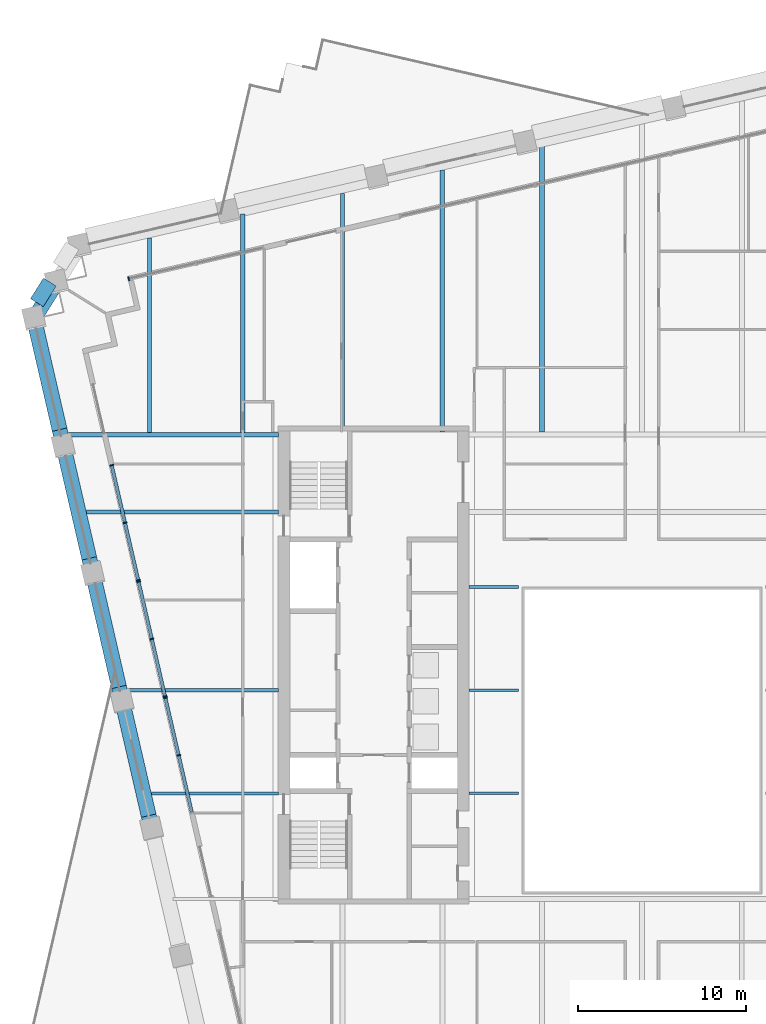
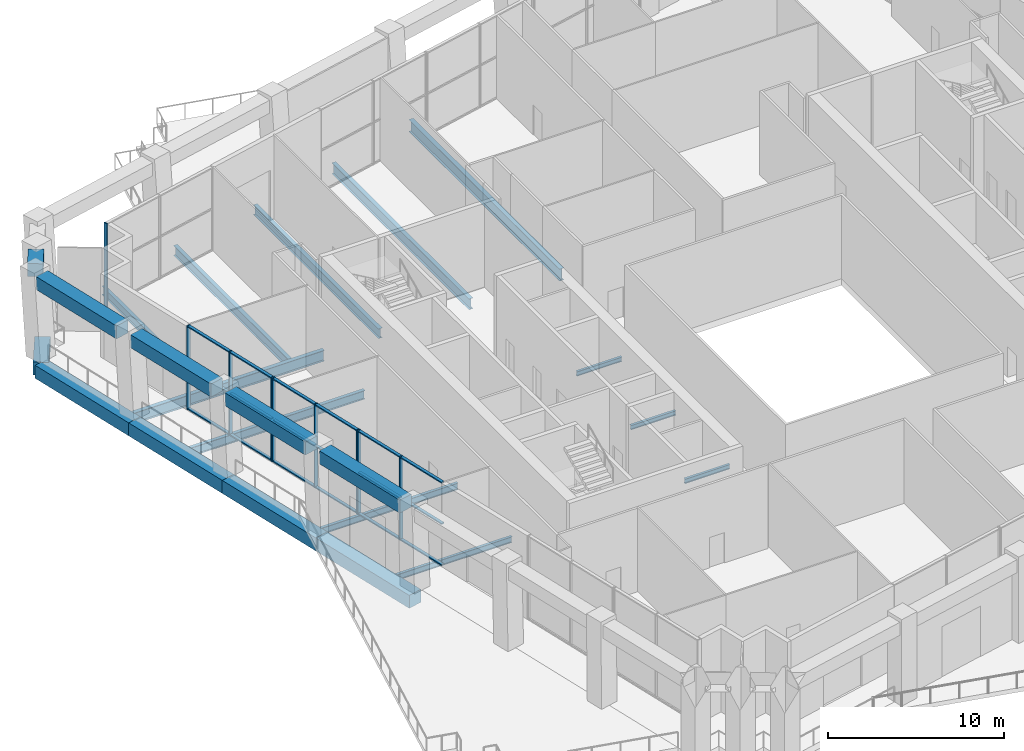
# One storey, part 4 of 24: 27 members, 22 beams, 4 elements without a shape of their own.
"""IFC4 building model written with IfcOpenShell, lengths in metres."""

from ifc_helpers import new_model, si_unit, direction, frame, origin, origin_2d, place, context, subcontext, project, spatial, rectangle, i_section, extrude, material, material_profile, profile_set, type_object, element, aggregate, save


model = new_model("IFC4")

# Units and contexts
model_context = context("Model", 3, precision=1e-05, world=origin(), true_north=direction((0.0, 1.0)))
body_context = subcontext(model_context, "Body", "Model", "MODEL_VIEW")
ifc_project = project(units=[si_unit("LENGTHUNIT", "METRE"), si_unit("AREAUNIT", "SQUARE_METRE"), si_unit("VOLUMEUNIT", "CUBIC_METRE"), si_unit("PLANEANGLEUNIT", "RADIAN"), si_unit("MASSUNIT", "GRAM", prefix="KILO")], contexts=[model_context])

# Site, building, storey
site_placement = place(None, origin())
site = spatial("IfcSite", under=ifc_project, at=site_placement, CompositionType="ELEMENT")
building_placement = place(site_placement, origin())
building = spatial("IfcBuilding", under=site, at=building_placement, Name="Ogive Exchange Tower", CompositionType="ELEMENT")
storey_placement = place(building_placement, frame((0.0, 0.0, 165.60009765625)))
storey = spatial("IfcBuildingStorey", under=building, at=storey_placement, Name="L36", CompositionType="ELEMENT", Elevation=165.60009765625)

# Beams
ifc_material_1 = material(Name="Steel ASTM A992 Gr50", Category="steel")
ifc_material_profile_1 = material_profile(ifc_material_1, i_section(OverallWidth=0.1650390625, OverallDepth=0.31005859375, WebThickness=0.005859375, FlangeThickness=0.009765625, at=origin_2d()), Name="W310x38.7")
ifc_profile_set_1 = profile_set([ifc_material_profile_1], Name="Steel ASTM A992 Gr50")
beam_type_1 = type_object("IfcBeamType", Name="Floor beam W310x38.7", PredefinedType="JOIST", material=ifc_profile_set_1)
for number, where, z_axis, x_axis, name in (
    (1, (-10.320068359375, 3.8583984375, -0.60498046875), (1.0, 0.0, 0.0), (0.0, 1.0, 0.0), "Floor beam"),
    (2, (-10.320068359375, 10.006591796875, -0.60498046875), (1.0, 0.0, 0.0), (0.0, 1.0, 0.0), "Floor beam"),
):
    element("IfcBeam", number, at=place(storey_placement, frame(where, z_axis=z_axis, x_axis=x_axis)), inside=storey, type_object=beam_type_1, Name=name, PredefinedType="JOIST", context=body_context, shape_type="SweptSolid", body=[
        extrude(i_section(OverallWidth=0.1650390625, OverallDepth=0.31005859375, WebThickness=0.005859375, FlangeThickness=0.009765625, at=origin_2d()), origin(), (0.0, 0.0, 1.0), 2.949951171875),
    ])
ifc_material_profile_2 = material_profile(ifc_material_1, i_section(OverallWidth=0.177978515625, OverallDepth=0.406005859375, WebThickness=0.0078125, FlangeThickness=0.0126953125, at=origin_2d()), Name="W410x60")
ifc_profile_set_2 = profile_set([ifc_material_profile_2], Name="Steel ASTM A992 Gr50")
beam_type_2 = type_object("IfcBeamType", Name="Floor beam W410x60", PredefinedType="JOIST", material=ifc_profile_set_2)
beam_1_placement = place(storey_placement, frame((-29.255859375, 3.8583984375, -0.653076171875), z_axis=(1.0, 0.0, 0.0), x_axis=(0.0, 1.0, 0.0)))
element("IfcBeam", 3, at=beam_1_placement, inside=storey, type_object=beam_type_2, Name="Floor beam", PredefinedType="JOIST", context=body_context, shape_type="SweptSolid", body=[
    extrude(i_section(OverallWidth=0.177978515625, OverallDepth=0.406005859375, WebThickness=0.0078125, FlangeThickness=0.0126953125, at=origin_2d()), origin(), (0.0, 0.0, 1.0), 7.575927734375),
])
ifc_material_profile_3 = material_profile(ifc_material_1, i_section(OverallWidth=0.19091796875, OverallDepth=0.45703125, WebThickness=0.009033203125, FlangeThickness=0.014404296875, at=origin_2d()), Name="W460x74")
ifc_profile_set_3 = profile_set([ifc_material_profile_3], Name="Steel ASTM A992 Gr50")
beam_type_3 = type_object("IfcBeamType", Name="Floor beam W460x74", PredefinedType="JOIST", material=ifc_profile_set_3)
beam_2_placement = place(storey_placement, frame((-30.67529296875, 10.006591796875, -0.6787109375), z_axis=(1.0, 0.0, 0.0), x_axis=(0.0, 1.0, 0.0)))
element("IfcBeam", 4, at=beam_2_placement, inside=storey, type_object=beam_type_3, Name="Floor beam", PredefinedType="JOIST", context=body_context, shape_type="SweptSolid", body=[
    extrude(i_section(OverallWidth=0.19091796875, OverallDepth=0.45703125, WebThickness=0.009033203125, FlangeThickness=0.014404296875, at=origin_2d()), origin(), (0.0, 0.0, 1.0), 8.995361328125),
])
ifc_material_profile_4 = material_profile(ifc_material_1, i_section(OverallWidth=0.22802734375, OverallDepth=0.60205078125, WebThickness=0.010498046875, FlangeThickness=0.014892578125, at=origin_2d()), Name="W610x101")
ifc_profile_set_4 = profile_set([ifc_material_profile_4], Name="Steel ASTM A992 Gr50")
beam_type_4 = type_object("IfcBeamType", Name="Floor beam W610x101", PredefinedType="JOIST", material=ifc_profile_set_4)
beam_3_placement = place(storey_placement, frame((-33.126220703125, 20.62255859375, -0.7509765625), z_axis=(1.0, 0.0, 0.0), x_axis=(0.0, 1.0, 0.0)))
element("IfcBeam", 5, at=beam_3_placement, inside=storey, type_object=beam_type_4, Name="Floor beam", PredefinedType="JOIST", context=body_context, shape_type="SweptSolid", body=[
    extrude(i_section(OverallWidth=0.22802734375, OverallDepth=0.60205078125, WebThickness=0.010498046875, FlangeThickness=0.014892578125, at=origin_2d()), origin(), (0.0, 0.0, 1.0), 11.4462890625),
])
beam_4_placement = place(storey_placement, frame((-29.35791015625, 25.37841796875, -0.7509765625), z_axis=(0.0, 1.0, 0.0), x_axis=(-1.0, 0.0, 0.0)))
element("IfcBeam", 6, at=beam_4_placement, inside=storey, type_object=beam_type_4, Name="Floor beam", PredefinedType="JOIST", context=body_context, shape_type="SweptSolid", body=[
    extrude(i_section(OverallWidth=0.22802734375, OverallDepth=0.60205078125, WebThickness=0.010498046875, FlangeThickness=0.014892578125, at=origin_2d()), origin(), (0.0, 0.0, 1.0), 11.5947265625),
])
ifc_material_profile_5 = material_profile(ifc_material_1, i_section(OverallWidth=0.25390625, OverallDepth=0.677978515625, WebThickness=0.01171875, FlangeThickness=0.016357421875, at=origin_2d()), Name="W690x125")
ifc_profile_set_5 = profile_set([ifc_material_profile_5], Name="Steel ASTM A992 Gr50")
beam_type_5 = type_object("IfcBeamType", Name="Floor beam W690x125", PredefinedType="JOIST", material=ifc_profile_set_5)
beam_5_placement = place(storey_placement, frame((-23.806396484375, 25.37841796875, -0.7890625), z_axis=(0.0, 1.0, 0.0), x_axis=(-1.0, 0.0, 0.0)))
element("IfcBeam", 7, at=beam_5_placement, inside=storey, type_object=beam_type_5, Name="Floor beam", PredefinedType="JOIST", context=body_context, shape_type="SweptSolid", body=[
    extrude(i_section(OverallWidth=0.25390625, OverallDepth=0.677978515625, WebThickness=0.01171875, FlangeThickness=0.016357421875, at=origin_2d()), origin(), (0.0, 0.0, 1.0), 13.0263671875),
])
beam_6_placement = place(storey_placement, frame((-17.854736328125, 25.39990234375, -0.7890625), z_axis=(0.0, 1.0, 0.0), x_axis=(-1.0, 0.0, 0.0)))
element("IfcBeam", 8, at=beam_6_placement, inside=storey, type_object=beam_type_5, Name="Floor beam", PredefinedType="JOIST", context=body_context, shape_type="SweptSolid", body=[
    extrude(i_section(OverallWidth=0.25390625, OverallDepth=0.677978515625, WebThickness=0.01171875, FlangeThickness=0.016357421875, at=origin_2d()), origin(), (0.0, 0.0, 1.0), 14.22900390625),
])
ifc_material_profile_6 = material_profile(ifc_material_1, i_section(OverallWidth=0.26708984375, OverallDepth=0.75390625, WebThickness=0.01318359375, FlangeThickness=0.01708984375, at=origin_2d()), Name="W760x147")
ifc_profile_set_6 = profile_set([ifc_material_profile_6], Name="Steel ASTM A992 Gr50")
beam_type_6 = type_object("IfcBeamType", Name="Floor beam W760x147", PredefinedType="JOIST", material=ifc_profile_set_6)
beam_7_placement = place(storey_placement, frame((-11.9033203125, 25.39990234375, -0.8271484375), z_axis=(0.0, 1.0, 0.0), x_axis=(-1.0, 0.0, 0.0)))
element("IfcBeam", 9, at=beam_7_placement, inside=storey, type_object=beam_type_6, Name="Floor beam", PredefinedType="JOIST", context=body_context, shape_type="SweptSolid", body=[
    extrude(i_section(OverallWidth=0.26708984375, OverallDepth=0.75390625, WebThickness=0.01318359375, FlangeThickness=0.01708984375, at=origin_2d()), origin(), (0.0, 0.0, 1.0), 15.60302734375),
])
ifc_material_profile_7 = material_profile(ifc_material_1, i_section(OverallWidth=0.2919921875, OverallDepth=0.8359375, WebThickness=0.013916015625, FlangeThickness=0.018798828125, at=origin_2d()), Name="W840x176")
ifc_profile_set_7 = profile_set([ifc_material_profile_7], Name="Steel ASTM A992 Gr50")
beam_type_7 = type_object("IfcBeamType", Name="Floor beam W840x176", PredefinedType="JOIST", material=ifc_profile_set_7)
beam_8_placement = place(storey_placement, frame((-5.95166015625, 25.39501953125, -0.8681640625), z_axis=(0.0, 1.0, 0.0), x_axis=(-1.0, 0.0, 0.0)))
element("IfcBeam", 10, at=beam_8_placement, inside=storey, type_object=beam_type_7, Name="Floor beam", PredefinedType="JOIST", context=body_context, shape_type="SweptSolid", body=[
    extrude(i_section(OverallWidth=0.2919921875, OverallDepth=0.8359375, WebThickness=0.013916015625, FlangeThickness=0.018798828125, at=origin_2d()), origin(), (0.0, 0.0, 1.0), 17.1318359375),
])
ifc_material_profile_8 = material_profile(ifc_material_1, i_section(OverallWidth=0.1650390625, OverallDepth=0.31005859375, WebThickness=0.005859375, FlangeThickness=0.009765625, at=origin_2d()), Name="W310x38.7")
ifc_profile_set_8 = profile_set([ifc_material_profile_8], Name="Steel ASTM A992 Gr50")
beam_type_8 = type_object("IfcBeamType", Name="Girder W310x38.7", PredefinedType="BEAM", material=ifc_profile_set_8)
beam_9_placement = place(storey_placement, frame((-10.320068359375, 16.155029296875, -0.60498046875), z_axis=(1.0, 0.0, 0.0), x_axis=(0.0, 1.0, 0.0)))
element("IfcBeam", 11, at=beam_9_placement, inside=storey, type_object=beam_type_8, Name="Trimmer girder", PredefinedType="BEAM", context=body_context, shape_type="SweptSolid", body=[
    extrude(i_section(OverallWidth=0.1650390625, OverallDepth=0.31005859375, WebThickness=0.005859375, FlangeThickness=0.009765625, at=origin_2d()), origin(), (0.0, 0.0, 1.0), 2.949951171875),
])
ifc_material_profile_9 = material_profile(ifc_material_1, i_section(OverallWidth=0.26708984375, OverallDepth=0.75390625, WebThickness=0.01318359375, FlangeThickness=0.01708984375, at=origin_2d()), Name="W760x147")
ifc_profile_set_9 = profile_set([ifc_material_profile_9], Name="Steel ASTM A992 Gr50")
beam_type_9 = type_object("IfcBeamType", Name="Girder W760x147", PredefinedType="BEAM", material=ifc_profile_set_9)
beam_10_placement = place(storey_placement, frame((-34.193359375, 25.2451171875, -0.8271484375), z_axis=(1.0, 0.0, 0.0), x_axis=(0.0, 1.0, 0.0)))
element("IfcBeam", 12, at=beam_10_placement, inside=storey, type_object=beam_type_9, Name="Header girder", PredefinedType="BEAM", context=body_context, shape_type="SweptSolid", body=[
    extrude(i_section(OverallWidth=0.26708984375, OverallDepth=0.75390625, WebThickness=0.01318359375, FlangeThickness=0.01708984375, at=origin_2d()), origin(), (0.0, 0.0, 1.0), 12.513427734375),
])
ifc_material_2 = material(Name="Precast concrete C70/85 (limestone faced)", Category="masonry")
ifc_material_profile_10 = material_profile(ifc_material_2, rectangle(XDim=0.89990234375, YDim=0.89990234375, at=origin_2d()), Name="900 x 900")
ifc_profile_set_10 = profile_set([ifc_material_profile_10], Name="Precast concrete C70/85 (limestone faced)")
beam_type_10 = type_object("IfcBeamType", Name="Precast spandrel 900 x 900 C70/85", PredefinedType="SPANDREL", material=ifc_profile_set_10)
beam_11_placement = place(storey_placement, frame((-35.30419921875, 34.334228515625, 5.2998046875), z_axis=(-0.529998940003, -0.847998304005, 0.0), x_axis=(0.847998304005, -0.529998940003, 0.0)))
element("IfcBeam", 13, at=beam_11_placement, inside=storey, type_object=beam_type_10, Name="Spandrel 25", PredefinedType="SPANDREL", context=body_context, shape_type="SweptSolid", body=[
    extrude(rectangle(XDim=0.89990234375, YDim=0.89990234375, at=origin_2d()), origin(), (0.0, 0.0, 1.0), 1.44873046875),
])
for number, where, z_axis, x_axis, name in (
    (14, (-36.232177734375, 32.075439453125, 5.2998046875), (0.224933887862, -0.974374027821, 0.0), (0.974374027821, 0.224933887862, 0.0), "Spandrel 26"),
    (15, (-34.461181640625, 24.4052734375, 5.2998046875), (0.224933887862, -0.974374027821, 0.0), (0.974374027821, 0.224933887862, 0.0), "Spandrel 27"),
    (16, (-32.6904296875, 16.73486328125, 5.2998046875), (0.224933887862, -0.974374027821, 0.0), (0.974374027821, 0.224933887862, 0.0), "Spandrel 28"),
    (17, (-30.919677734375, 9.064697265625, 5.2998046875), (0.224933887862, -0.974374027821, 0.0), (0.974374027821, 0.224933887862, 0.0), "Spandrel 29"),
):
    element("IfcBeam", number, at=place(storey_placement, frame(where, z_axis=z_axis, x_axis=x_axis)), inside=storey, type_object=beam_type_10, Name=name, PredefinedType="SPANDREL", context=body_context, shape_type="SweptSolid", body=[
        extrude(rectangle(XDim=0.89990234375, YDim=0.89990234375, at=origin_2d()), origin(), (0.0, 0.0, 1.0), 6.712158203125),
    ])
ifc_material_profile_11 = material_profile(ifc_material_2, rectangle(XDim=0.89990234375, YDim=0.89990234375, at=origin_2d()), Name="900 x 900")
ifc_profile_set_11 = profile_set([ifc_material_profile_11], Name="Precast concrete C70/85 (limestone faced)")
beam_type_11 = type_object("IfcBeamType", Name="Precast transfer girder 900 x 900 C70/85", PredefinedType="BEAM", material=ifc_profile_set_11)
beam_12_placement = place(storey_placement, frame((-34.900146484375, 34.30810546875, -0.900146484375), z_axis=(-0.529981698198, -0.848009079889, 0.0), x_axis=(0.848009079889, -0.529981698198, 0.0)))
element("IfcBeam", 18, at=beam_12_placement, inside=storey, type_object=beam_type_11, Name="Transfer girder 25", PredefinedType="BEAM", context=body_context, shape_type="SweptSolid", body=[
    extrude(rectangle(XDim=0.89990234375, YDim=0.89990234375, at=origin_2d()), origin(), (0.0, 0.0, 1.0), 2.545654296875),
])
for number, where, z_axis, x_axis, name in (
    (19, (-36.249267578125, 32.1494140625, -0.900146484375), (0.22495322987, -0.974369562523, 0.0), (0.974369562523, 0.22495322987, 0.0), "Transfer girder 26"),
    (20, (-34.49462890625, 24.54931640625, -0.900146484375), (0.22495322987, -0.974369562523, 0.0), (0.974369562523, 0.22495322987, 0.0), "Transfer girder 27"),
    (21, (-32.739990234375, 16.94921875, -0.900146484375), (0.22495322987, -0.974369562523, 0.0), (0.974369562523, 0.22495322987, 0.0), "Transfer girder 28"),
    (22, (-30.9853515625, 9.34912109375, -0.900146484375), (0.22495322987, -0.974369562523, 0.0), (0.974369562523, 0.22495322987, 0.0), "Transfer girder 29"),
):
    element("IfcBeam", number, at=place(storey_placement, frame(where, z_axis=z_axis, x_axis=x_axis)), inside=storey, type_object=beam_type_11, Name=name, PredefinedType="BEAM", context=body_context, shape_type="SweptSolid", body=[
        extrude(rectangle(XDim=0.89990234375, YDim=0.89990234375, at=origin_2d()), origin(), (0.0, 0.0, 1.0), 7.800048828125),
    ])

# Curtain wall, member
ifc_material_3 = material(Name="Anodised aluminium and clear glass", Category="aluminium")
curtain_wall_type = type_object("IfcCurtainWallType", Name="Winter garden glazing", PredefinedType="NOTDEFINED", material=ifc_material_3)
curtain_wall_1_placement = place(storey_placement, origin())
curtain_wall_1 = element("IfcCurtainWall", 23, at=curtain_wall_1_placement, inside=storey, type_object=curtain_wall_type, Name="Winter garden glazing run G19", PredefinedType="NOTDEFINED")
ifc_material_4 = material(Name="Anodised aluminium", Category="aluminium")
ifc_material_profile_12 = material_profile(ifc_material_4, rectangle(XDim=0.239990234375, YDim=0.080078125, at=origin_2d()), Name="AL 80x240")
ifc_profile_set_12 = profile_set([ifc_material_profile_12], Name="Anodised aluminium")
member_type_1 = type_object("IfcMemberType", Name="Winter garden glazing mullion 80 x 240", PredefinedType="MULLION", material=ifc_profile_set_12)
member_1_placement = place(storey_placement, frame((-30.600341796875, 34.531005859375, 0.0), z_axis=(0.0, 0.0, 1.0), x_axis=(0.224951017509, -0.974370073289, 0.0)))
member_1 = element("IfcMember", 24, at=member_1_placement, type_object=member_type_1, Name="G19 mullion 3", PredefinedType="MULLION", context=body_context, shape_type="SweptSolid", body=[
    extrude(rectangle(XDim=0.239990234375, YDim=0.080078125, at=origin_2d()), origin(), (0.0, 0.0, 1.0), 5.7998046875),
])
aggregate(curtain_wall_1, [member_1])

# Curtain wall, members
curtain_wall_2_placement = place(storey_placement, origin())
curtain_wall_2 = element("IfcCurtainWall", 25, at=curtain_wall_2_placement, inside=storey, type_object=curtain_wall_type, Name="Winter garden glazing run G21", PredefinedType="NOTDEFINED")
member_2_placement = place(storey_placement, frame((-31.615234375, 23.41357421875, 0.0), z_axis=(0.0, 0.0, 1.0), x_axis=(0.974368684938, 0.224957031035, 0.0)))
member_2 = element("IfcMember", 26, at=member_2_placement, type_object=member_type_1, Name="G21 mullion 1", PredefinedType="MULLION", context=body_context, shape_type="SweptSolid", body=[
    extrude(rectangle(XDim=0.239990234375, YDim=0.080078125, at=origin_2d()), origin(), (0.0, 0.0, 1.0), 5.7998046875),
])
member_3_placement = place(storey_placement, frame((-30.82421875, 19.986572265625, 0.0), z_axis=(0.0, 0.0, 1.0), x_axis=(0.974368684938, 0.224957031035, 0.0)))
member_3 = element("IfcMember", 27, at=member_3_placement, type_object=member_type_1, Name="G21 mullion 2", PredefinedType="MULLION", context=body_context, shape_type="SweptSolid", body=[
    extrude(rectangle(XDim=0.239990234375, YDim=0.080078125, at=origin_2d()), origin(), (0.0, 0.0, 1.0), 5.7998046875),
])
member_4_placement = place(storey_placement, frame((-30.032958984375, 16.5595703125, 0.0), z_axis=(0.0, 0.0, 1.0), x_axis=(0.974368684938, 0.224957031035, 0.0)))
member_4 = element("IfcMember", 28, at=member_4_placement, type_object=member_type_1, Name="G21 mullion 3", PredefinedType="MULLION", context=body_context, shape_type="SweptSolid", body=[
    extrude(rectangle(XDim=0.239990234375, YDim=0.080078125, at=origin_2d()), origin(), (0.0, 0.0, 1.0), 5.7998046875),
])

curtain_wall_3_placement = place(storey_placement, origin())
curtain_wall_3 = element("IfcCurtainWall", 29, at=curtain_wall_3_placement, inside=storey, type_object=curtain_wall_type, Name="Winter garden glazing run G22", PredefinedType="NOTDEFINED")
member_5_placement = place(storey_placement, frame((-30.014892578125, 16.481689453125, 0.0), z_axis=(0.0, 0.0, 1.0), x_axis=(0.974372477105, 0.224940605185, 0.0)))
member_5 = element("IfcMember", 30, at=member_5_placement, type_object=member_type_1, Name="G22 mullion 1", PredefinedType="MULLION", context=body_context, shape_type="SweptSolid", body=[
    extrude(rectangle(XDim=0.239990234375, YDim=0.080078125, at=origin_2d()), origin(), (0.0, 0.0, 1.0), 5.7998046875),
])
member_6_placement = place(storey_placement, frame((-29.2236328125, 13.0546875, 0.0), z_axis=(0.0, 0.0, 1.0), x_axis=(0.974372477105, 0.224940605185, 0.0)))
member_6 = element("IfcMember", 31, at=member_6_placement, type_object=member_type_1, Name="G22 mullion 2", PredefinedType="MULLION", context=body_context, shape_type="SweptSolid", body=[
    extrude(rectangle(XDim=0.239990234375, YDim=0.080078125, at=origin_2d()), origin(), (0.0, 0.0, 1.0), 5.7998046875),
])
member_7_placement = place(storey_placement, frame((-28.4326171875, 9.627685546875, 0.0), z_axis=(0.0, 0.0, 1.0), x_axis=(0.974372477105, 0.224940605185, 0.0)))
member_7 = element("IfcMember", 32, at=member_7_placement, type_object=member_type_1, Name="G22 mullion 3", PredefinedType="MULLION", context=body_context, shape_type="SweptSolid", body=[
    extrude(rectangle(XDim=0.239990234375, YDim=0.080078125, at=origin_2d()), origin(), (0.0, 0.0, 1.0), 5.7998046875),
])

curtain_wall_4_placement = place(storey_placement, origin())
curtain_wall_4 = element("IfcCurtainWall", 33, at=curtain_wall_4_placement, inside=storey, type_object=curtain_wall_type, Name="Winter garden glazing run G23", PredefinedType="NOTDEFINED")
member_8_placement = place(storey_placement, frame((-28.41455078125, 9.549560546875, 0.0), z_axis=(0.0, 0.0, 1.0), x_axis=(0.974368684938, 0.224957031035, 0.0)))
member_8 = element("IfcMember", 34, at=member_8_placement, type_object=member_type_1, Name="G23 mullion 1", PredefinedType="MULLION", context=body_context, shape_type="SweptSolid", body=[
    extrude(rectangle(XDim=0.239990234375, YDim=0.080078125, at=origin_2d()), origin(), (0.0, 0.0, 1.0), 5.7998046875),
])
member_9_placement = place(storey_placement, frame((-27.623291015625, 6.12255859375, 0.0), z_axis=(0.0, 0.0, 1.0), x_axis=(0.974368684938, 0.224957031035, 0.0)))
member_9 = element("IfcMember", 35, at=member_9_placement, type_object=member_type_1, Name="G23 mullion 2", PredefinedType="MULLION", context=body_context, shape_type="SweptSolid", body=[
    extrude(rectangle(XDim=0.239990234375, YDim=0.080078125, at=origin_2d()), origin(), (0.0, 0.0, 1.0), 5.7998046875),
])

# Member
ifc_material_profile_13 = material_profile(ifc_material_4, rectangle(XDim=0.199951171875, YDim=0.080078125, at=origin_2d()), Name="AL 80x200")
ifc_profile_set_13 = profile_set([ifc_material_profile_13], Name="Anodised aluminium")
member_type_2 = type_object("IfcMemberType", Name="Winter garden glazing transom 80 x 200", PredefinedType="USERDEFINED", material=ifc_profile_set_13)
member_10_placement = place(storey_placement, frame((-31.606201171875, 23.37451171875, 0.039794921875), z_axis=(0.224963262299, -0.974367246276, 0.0), x_axis=(0.974367246276, 0.224963262299, 0.0)))
member_10 = element("IfcMember", 36, at=member_10_placement, type_object=member_type_2, Name="G21 transom 1.1", ObjectType="TRANSOM", PredefinedType="USERDEFINED", context=body_context, shape_type="SweptSolid", body=[
    extrude(rectangle(XDim=0.199951171875, YDim=0.080078125, at=origin_2d()), origin(), (0.0, 0.0, 1.0), 3.43701171875),
])

member_11_placement = place(storey_placement, frame((-31.606201171875, 23.37451171875, 2.89990234375), z_axis=(0.224963262299, -0.974367246276, 0.0), x_axis=(0.974367246276, 0.224963262299, 0.0)))
member_11 = element("IfcMember", 37, at=member_11_placement, type_object=member_type_2, Name="G21 transom 1.2", ObjectType="TRANSOM", PredefinedType="USERDEFINED", context=body_context, shape_type="SweptSolid", body=[
    extrude(rectangle(XDim=0.199951171875, YDim=0.080078125, at=origin_2d()), origin(), (0.0, 0.0, 1.0), 3.43701171875),
])

member_12_placement = place(storey_placement, frame((-31.606201171875, 23.37451171875, 5.760009765625), z_axis=(0.224963262299, -0.974367246276, 0.0), x_axis=(0.974367246276, 0.224963262299, 0.0)))
member_12 = element("IfcMember", 38, at=member_12_placement, type_object=member_type_2, Name="G21 transom 1.3", ObjectType="TRANSOM", PredefinedType="USERDEFINED", context=body_context, shape_type="SweptSolid", body=[
    extrude(rectangle(XDim=0.199951171875, YDim=0.080078125, at=origin_2d()), origin(), (0.0, 0.0, 1.0), 3.43701171875),
])

member_13_placement = place(storey_placement, frame((-30.815185546875, 19.947509765625, 0.039794921875), z_axis=(0.224963262299, -0.974367246276, 0.0), x_axis=(0.974367246276, 0.224963262299, 0.0)))
member_13 = element("IfcMember", 39, at=member_13_placement, type_object=member_type_2, Name="G21 transom 2.1", ObjectType="TRANSOM", PredefinedType="USERDEFINED", context=body_context, shape_type="SweptSolid", body=[
    extrude(rectangle(XDim=0.199951171875, YDim=0.080078125, at=origin_2d()), origin(), (0.0, 0.0, 1.0), 3.43701171875),
])

member_14_placement = place(storey_placement, frame((-30.815185546875, 19.947509765625, 2.89990234375), z_axis=(0.224963262299, -0.974367246276, 0.0), x_axis=(0.974367246276, 0.224963262299, 0.0)))
member_14 = element("IfcMember", 40, at=member_14_placement, type_object=member_type_2, Name="G21 transom 2.2", ObjectType="TRANSOM", PredefinedType="USERDEFINED", context=body_context, shape_type="SweptSolid", body=[
    extrude(rectangle(XDim=0.199951171875, YDim=0.080078125, at=origin_2d()), origin(), (0.0, 0.0, 1.0), 3.43701171875),
])

member_15_placement = place(storey_placement, frame((-30.815185546875, 19.947509765625, 5.760009765625), z_axis=(0.224963262299, -0.974367246276, 0.0), x_axis=(0.974367246276, 0.224963262299, 0.0)))
member_15 = element("IfcMember", 41, at=member_15_placement, type_object=member_type_2, Name="G21 transom 2.3", ObjectType="TRANSOM", PredefinedType="USERDEFINED", context=body_context, shape_type="SweptSolid", body=[
    extrude(rectangle(XDim=0.199951171875, YDim=0.080078125, at=origin_2d()), origin(), (0.0, 0.0, 1.0), 3.43701171875),
])

aggregate(curtain_wall_2, [member_2, member_3, member_4, member_10, member_11, member_12, member_13, member_14, member_15])

member_16_placement = place(storey_placement, frame((-30.005859375, 16.442626953125, 0.039794921875), z_axis=(0.224947693018, -0.974370840802, 0.0), x_axis=(0.974370840802, 0.224947693018, 0.0)))
member_16 = element("IfcMember", 42, at=member_16_placement, type_object=member_type_2, Name="G22 transom 1.1", ObjectType="TRANSOM", PredefinedType="USERDEFINED", context=body_context, shape_type="SweptSolid", body=[
    extrude(rectangle(XDim=0.199951171875, YDim=0.080078125, at=origin_2d()), origin(), (0.0, 0.0, 1.0), 3.437255859375),
])

member_17_placement = place(storey_placement, frame((-30.005859375, 16.442626953125, 2.89990234375), z_axis=(0.224947693018, -0.974370840802, 0.0), x_axis=(0.974370840802, 0.224947693018, 0.0)))
member_17 = element("IfcMember", 43, at=member_17_placement, type_object=member_type_2, Name="G22 transom 1.2", ObjectType="TRANSOM", PredefinedType="USERDEFINED", context=body_context, shape_type="SweptSolid", body=[
    extrude(rectangle(XDim=0.199951171875, YDim=0.080078125, at=origin_2d()), origin(), (0.0, 0.0, 1.0), 3.437255859375),
])

member_18_placement = place(storey_placement, frame((-30.005859375, 16.442626953125, 5.760009765625), z_axis=(0.224947693018, -0.974370840802, 0.0), x_axis=(0.974370840802, 0.224947693018, 0.0)))
member_18 = element("IfcMember", 44, at=member_18_placement, type_object=member_type_2, Name="G22 transom 1.3", ObjectType="TRANSOM", PredefinedType="USERDEFINED", context=body_context, shape_type="SweptSolid", body=[
    extrude(rectangle(XDim=0.199951171875, YDim=0.080078125, at=origin_2d()), origin(), (0.0, 0.0, 1.0), 3.437255859375),
])

member_19_placement = place(storey_placement, frame((-29.21484375, 13.015625, 0.039794921875), z_axis=(0.224947693018, -0.974370840802, 0.0), x_axis=(0.974370840802, 0.224947693018, 0.0)))
member_19 = element("IfcMember", 45, at=member_19_placement, type_object=member_type_2, Name="G22 transom 2.1", ObjectType="TRANSOM", PredefinedType="USERDEFINED", context=body_context, shape_type="SweptSolid", body=[
    extrude(rectangle(XDim=0.199951171875, YDim=0.080078125, at=origin_2d()), origin(), (0.0, 0.0, 1.0), 3.437255859375),
])

member_20_placement = place(storey_placement, frame((-29.21484375, 13.015625, 2.89990234375), z_axis=(0.224947693018, -0.974370840802, 0.0), x_axis=(0.974370840802, 0.224947693018, 0.0)))
member_20 = element("IfcMember", 46, at=member_20_placement, type_object=member_type_2, Name="G22 transom 2.2", ObjectType="TRANSOM", PredefinedType="USERDEFINED", context=body_context, shape_type="SweptSolid", body=[
    extrude(rectangle(XDim=0.199951171875, YDim=0.080078125, at=origin_2d()), origin(), (0.0, 0.0, 1.0), 3.437255859375),
])

member_21_placement = place(storey_placement, frame((-29.21484375, 13.015625, 5.760009765625), z_axis=(0.224947693018, -0.974370840802, 0.0), x_axis=(0.974370840802, 0.224947693018, 0.0)))
member_21 = element("IfcMember", 47, at=member_21_placement, type_object=member_type_2, Name="G22 transom 2.3", ObjectType="TRANSOM", PredefinedType="USERDEFINED", context=body_context, shape_type="SweptSolid", body=[
    extrude(rectangle(XDim=0.199951171875, YDim=0.080078125, at=origin_2d()), origin(), (0.0, 0.0, 1.0), 3.437255859375),
])

aggregate(curtain_wall_3, [member_5, member_6, member_7, member_16, member_17, member_18, member_19, member_20, member_21])

member_22_placement = place(storey_placement, frame((-28.405517578125, 9.5107421875, 0.039794921875), z_axis=(0.224947693018, -0.974370840802, 0.0), x_axis=(0.974370840802, 0.224947693018, 0.0)))
member_22 = element("IfcMember", 48, at=member_22_placement, type_object=member_type_2, Name="G23 transom 1.1", ObjectType="TRANSOM", PredefinedType="USERDEFINED", context=body_context, shape_type="SweptSolid", body=[
    extrude(rectangle(XDim=0.199951171875, YDim=0.080078125, at=origin_2d()), origin(), (0.0, 0.0, 1.0), 3.437255859375),
])

member_23_placement = place(storey_placement, frame((-28.405517578125, 9.5107421875, 2.89990234375), z_axis=(0.224947693018, -0.974370840802, 0.0), x_axis=(0.974370840802, 0.224947693018, 0.0)))
member_23 = element("IfcMember", 49, at=member_23_placement, type_object=member_type_2, Name="G23 transom 1.2", ObjectType="TRANSOM", PredefinedType="USERDEFINED", context=body_context, shape_type="SweptSolid", body=[
    extrude(rectangle(XDim=0.199951171875, YDim=0.080078125, at=origin_2d()), origin(), (0.0, 0.0, 1.0), 3.437255859375),
])

member_24_placement = place(storey_placement, frame((-28.405517578125, 9.5107421875, 5.760009765625), z_axis=(0.224947693018, -0.974370840802, 0.0), x_axis=(0.974370840802, 0.224947693018, 0.0)))
member_24 = element("IfcMember", 50, at=member_24_placement, type_object=member_type_2, Name="G23 transom 1.3", ObjectType="TRANSOM", PredefinedType="USERDEFINED", context=body_context, shape_type="SweptSolid", body=[
    extrude(rectangle(XDim=0.199951171875, YDim=0.080078125, at=origin_2d()), origin(), (0.0, 0.0, 1.0), 3.437255859375),
])

member_25_placement = place(storey_placement, frame((-27.614501953125, 6.083740234375, 0.039794921875), z_axis=(0.224947693018, -0.974370840802, 0.0), x_axis=(0.974370840802, 0.224947693018, 0.0)))
member_25 = element("IfcMember", 51, at=member_25_placement, type_object=member_type_2, Name="G23 transom 2.1", ObjectType="TRANSOM", PredefinedType="USERDEFINED", context=body_context, shape_type="SweptSolid", body=[
    extrude(rectangle(XDim=0.199951171875, YDim=0.080078125, at=origin_2d()), origin(), (0.0, 0.0, 1.0), 3.437255859375),
])

member_26_placement = place(storey_placement, frame((-27.614501953125, 6.083740234375, 2.89990234375), z_axis=(0.224947693018, -0.974370840802, 0.0), x_axis=(0.974370840802, 0.224947693018, 0.0)))
member_26 = element("IfcMember", 52, at=member_26_placement, type_object=member_type_2, Name="G23 transom 2.2", ObjectType="TRANSOM", PredefinedType="USERDEFINED", context=body_context, shape_type="SweptSolid", body=[
    extrude(rectangle(XDim=0.199951171875, YDim=0.080078125, at=origin_2d()), origin(), (0.0, 0.0, 1.0), 3.437255859375),
])

member_27_placement = place(storey_placement, frame((-27.614501953125, 6.083740234375, 5.760009765625), z_axis=(0.224947693018, -0.974370840802, 0.0), x_axis=(0.974370840802, 0.224947693018, 0.0)))
member_27 = element("IfcMember", 53, at=member_27_placement, type_object=member_type_2, Name="G23 transom 2.3", ObjectType="TRANSOM", PredefinedType="USERDEFINED", context=body_context, shape_type="SweptSolid", body=[
    extrude(rectangle(XDim=0.199951171875, YDim=0.080078125, at=origin_2d()), origin(), (0.0, 0.0, 1.0), 3.437255859375),
])

aggregate(curtain_wall_4, [member_8, member_9, member_22, member_23, member_24, member_25, member_26, member_27])

save(model, "model.ifc")
